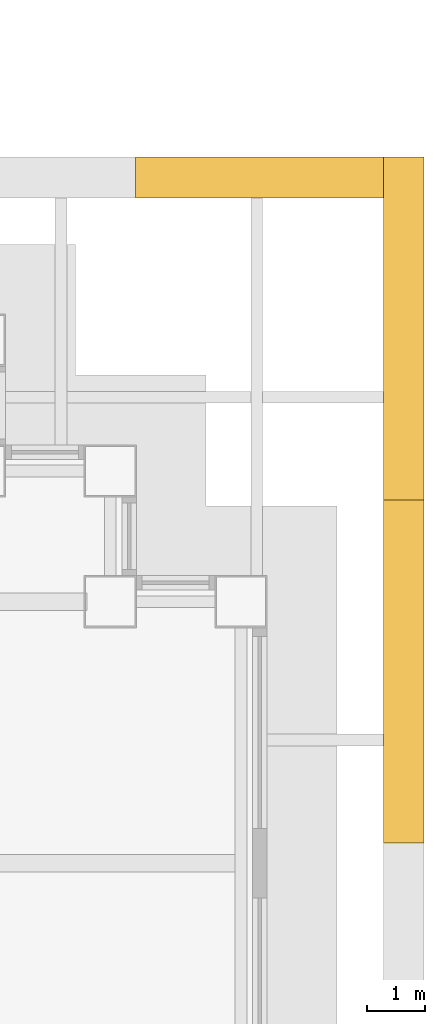
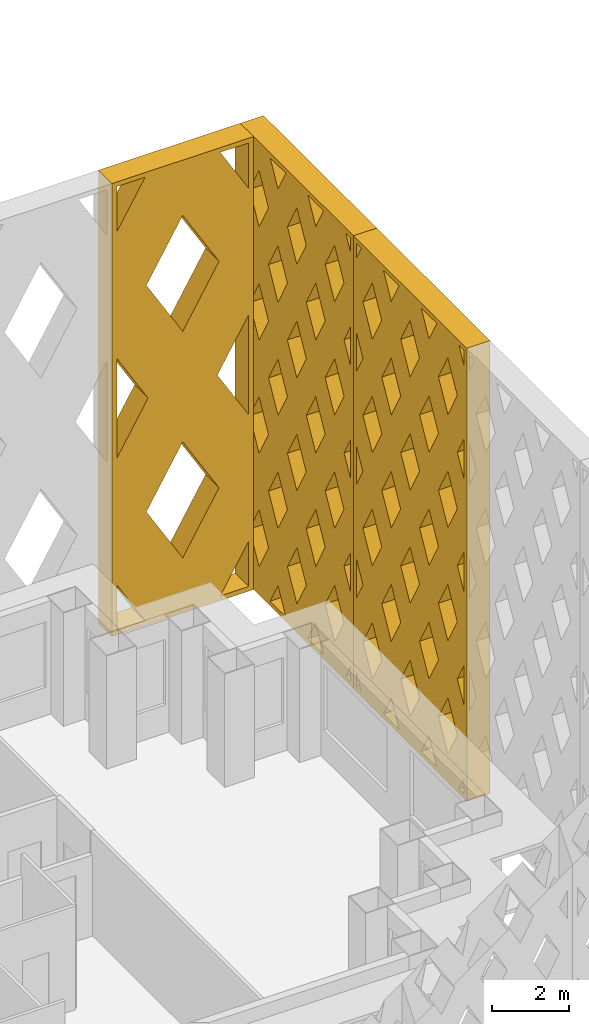
# One storey, part 21 of 21: 3 shading devices.
"""IFC4 building model written with IfcOpenShell, lengths in metres."""

import ifcopenshell
import ifcopenshell.guid

model = None  # the IFC model being written
_history = None  # IfcOwnerHistory: only IFC2X3 demands one
_inside = {}  # id of a spatial element -> (the spatial element, [elements in it])
_under = {}  # id of a project, library or spatial element -> (it, [spatial elements below it])
_declared = {}  # id of a project -> (the project, [libraries it declares])
_typed = {}  # id of a type object -> (the type object, [elements of that type])
_made_of = {}  # id of a material, layer set ... -> (it, [elements and type objects made of it])


def new_model(schema):
    """Start an empty IFC model of exactly this schema.

    Asked for "IFC4X3", IfcOpenShell would pick the latest addendum, in which some entities
    have other attributes; the version numbers below select the first issue.
    IFC2X3 requires an IfcOwnerHistory on every rooted entity: one is made here for all.
    """
    global model, _history
    if schema == "IFC4X3":
        model = ifcopenshell.file(schema_version=(4, 3, 0, 0))
    else:
        model = ifcopenshell.file(schema=schema)
    _inside.clear()
    _under.clear()
    _declared.clear()
    _typed.clear()
    _made_of.clear()
    _history = None
    if model.schema == "IFC2X3":
        org = make("IfcOrganization", Name="unknown")
        user = make(
            "IfcPersonAndOrganization",
            ThePerson=make("IfcPerson", FamilyName="unknown"),
            TheOrganization=org,
        )
        app = make(
            "IfcApplication",
            ApplicationDeveloper=org,
            Version="unknown",
            ApplicationFullName="unknown",
            ApplicationIdentifier="unknown",
        )
        _history = make(
            "IfcOwnerHistory",
            OwningUser=user,
            OwningApplication=app,
            ChangeAction="ADDED",
            CreationDate=0,
        )
    return model


def make(cls, **values):
    """One entity of the class cls with the attributes given. An attribute that is None is left unset."""
    return model.create_entity(
        cls, **{name: value for name, value in values.items() if value is not None}
    )


def rooted(cls, **values):
    """An entity with a GlobalId (a new one), such as an element, a storey or a relation."""
    return make(cls, GlobalId=ifcopenshell.guid.new(), OwnerHistory=_history, **values)


def si_unit(unit_type, name, prefix=None):
    """IfcSIUnit, for example si_unit("LENGTHUNIT", "METRE", prefix="MILLI")."""
    return make("IfcSIUnit", UnitType=unit_type, Prefix=prefix, Name=name)


def assignment(units):
    """IfcUnitAssignment: the units of a project."""
    return None if units is None else make("IfcUnitAssignment", Units=units)


def point(xyz):
    """IfcCartesianPoint."""
    return None if xyz is None else make("IfcCartesianPoint", Coordinates=xyz)


def direction(xyz):
    """IfcDirection."""
    return None if xyz is None else make("IfcDirection", DirectionRatios=xyz)


def frame(location, z_axis=None, x_axis=None):
    """IfcAxis2Placement3D, a coordinate frame: its origin and axes. An axis left out is left unset."""
    return make(
        "IfcAxis2Placement3D",
        Location=point(location),
        Axis=direction(z_axis),
        RefDirection=direction(x_axis),
    )


def origin():
    """The frame at (0, 0, 0) with its axes left unset."""
    return frame((0.0, 0.0, 0.0))


def place(relative_to, where):
    """IfcLocalPlacement: puts the frame where relative to a parent placement (None: the world)."""
    return make(
        "IfcLocalPlacement", PlacementRelTo=relative_to, RelativePlacement=where
    )


def context(
    kind, dimensions, precision=None, world=None, true_north=None, identifier=None
):
    """IfcGeometricRepresentationContext, for example the 3D "Model" context."""
    return make(
        "IfcGeometricRepresentationContext",
        ContextIdentifier=identifier,
        ContextType=kind,
        CoordinateSpaceDimension=dimensions,
        Precision=precision,
        WorldCoordinateSystem=world,
        TrueNorth=true_north,
    )


def subcontext(parent, identifier, kind, view, scale=None):
    """IfcGeometricRepresentationSubContext, for example "Body" below "Model"."""
    return make(
        "IfcGeometricRepresentationSubContext",
        ContextIdentifier=identifier,
        ContextType=kind,
        ParentContext=parent,
        TargetScale=scale,
        TargetView=view,
    )


def project(units=None, contexts=None):
    """IfcProject with its units and contexts."""
    return rooted(
        "IfcProject",
        Name="project",
        RepresentationContexts=contexts,
        UnitsInContext=assignment(units),
    )


def spatial(cls, under=None, at=None, **own):
    """A site, building, storey or space (cls), placed at a placement, below another one or the project."""
    s = rooted(cls, ObjectPlacement=at, **own)
    if under is not None:
        _under.setdefault(under.id(), (under, []))[1].append(s)
    return s


def polyline(points):
    """IfcPolyline through the points."""
    return make("IfcPolyline", Points=[point(p) for p in points])


def outline(outer, holes=None, kind="AREA"):
    """IfcArbitraryClosedProfileDef: a profile drawn as a closed curve; with holes, ...WithVoids."""
    if holes is None:
        return make("IfcArbitraryClosedProfileDef", ProfileType=kind, OuterCurve=outer)
    return make(
        "IfcArbitraryProfileDefWithVoids",
        ProfileType=kind,
        OuterCurve=outer,
        InnerCurves=holes,
    )


def extrude(swept, where, along, depth):
    """IfcExtrudedAreaSolid: the profile swept, set in the frame where, extruded along a direction by depth."""
    return make(
        "IfcExtrudedAreaSolid",
        SweptArea=swept,
        Position=where,
        ExtrudedDirection=direction(along),
        Depth=depth,
    )


def shape(context_of_items, identifier, shape_type, items):
    """IfcShapeRepresentation: the items that make up one representation, for example the "Body"."""
    return make(
        "IfcShapeRepresentation",
        ContextOfItems=context_of_items,
        RepresentationIdentifier=identifier,
        RepresentationType=shape_type,
        Items=items,
    )


def material(Name=None, Category=None):
    """IfcMaterial."""
    return make("IfcMaterial", Name=Name, Category=Category)


def made_of(thing, what):
    """Note that an element or type object is made of a material, layer set ...; save() writes the relation."""
    if what is not None:
        _made_of.setdefault(what.id(), (what, []))[1].append(thing)
    return thing


def type_object(cls, material=None, **own):
    """A type object (cls), such as IfcWallType, which elements share."""
    return made_of(rooted(cls, **own), material)


def element(
    cls,
    number,
    at=None,
    inside=None,
    cuts=None,
    type_object=None,
    material=None,
    context=None,
    identifier="Body",
    shape_type=None,
    held_by="IfcProductDefinitionShape",
    body=None,
    shapes=None,
    **own,
):
    """One element of the class cls, such as IfcWall. Its Tag is "e" and its number.

    at: its placement. inside: the storey or other place that contains it. cuts: it is an
    opening in that element (IfcRelVoidsElement). A single representation is given by context,
    identifier, shape_type and body (its items); several are given by shapes. held_by: the class
    of the entity that holds the representations. save() writes the other relations.
    """
    e = rooted(cls, Tag="e%d" % number, ObjectPlacement=at, **own)
    if body is not None:
        shapes = [shape(context, identifier, shape_type, body)]
    if shapes is not None:
        e.Representation = make(held_by, Representations=shapes)
    if inside is not None:
        _inside.setdefault(inside.id(), (inside, []))[1].append(e)
    if cuts is not None:
        rooted(
            "IfcRelVoidsElement", RelatingBuildingElement=cuts, RelatedOpeningElement=e
        )
    if type_object is not None:
        _typed.setdefault(type_object.id(), (type_object, []))[1].append(e)
    return made_of(e, material)


def aggregate(whole, parts):
    """IfcRelAggregates: a whole, such as a stair, and the parts it consists of."""
    return rooted("IfcRelAggregates", RelatingObject=whole, RelatedObjects=parts)


def save(model, path):
    """Write the relations noted so far, then the file.

    IfcRelAggregates (storeys below a building ...), IfcRelContainedInSpatialStructure (elements
    in a storey), IfcRelDefinesByType, IfcRelAssociatesMaterial and IfcRelDeclares: one each for
    every whole, place, type object, material and project.
    """
    for whole, parts in _under.values():
        aggregate(whole, parts)
    for where, things in _inside.values():
        rooted(
            "IfcRelContainedInSpatialStructure",
            RelatedElements=things,
            RelatingStructure=where,
        )
    for kind, things in _typed.values():
        rooted("IfcRelDefinesByType", RelatedObjects=things, RelatingType=kind)
    for what, things in _made_of.values():
        rooted("IfcRelAssociatesMaterial", RelatedObjects=things, RelatingMaterial=what)
    for by, libraries in _declared.values():
        rooted("IfcRelDeclares", RelatingContext=by, RelatedDefinitions=libraries)
    model.write(path)


model = new_model("IFC4")

# Units and contexts
model_context = context("Model", 3, precision=1e-05, world=origin(), true_north=direction((0.0, 1.0)))
body_context = subcontext(model_context, "Body", "Model", "MODEL_VIEW")
ifc_project = project(units=[si_unit("LENGTHUNIT", "METRE"), si_unit("AREAUNIT", "SQUARE_METRE"), si_unit("VOLUMEUNIT", "CUBIC_METRE"), si_unit("PLANEANGLEUNIT", "RADIAN"), si_unit("MASSUNIT", "GRAM", prefix="KILO")], contexts=[model_context])

# Site, building, storey
site_placement = place(None, origin())
site = spatial("IfcSite", under=ifc_project, at=site_placement, CompositionType="ELEMENT")
building_placement = place(site_placement, origin())
building = spatial("IfcBuilding", under=site, at=building_placement, Name="Caravel Reach Hotel and Residences", CompositionType="ELEMENT")
storey_placement = place(building_placement, frame((0.0, 0.0, 115.199951171875)))
storey = spatial("IfcBuildingStorey", under=building, at=storey_placement, Name="L28", CompositionType="ELEMENT", Elevation=115.199951171875)

# Shading devices
ifc_material_1 = material(Name="Black powder-coated aluminium", Category="aluminium")
shading_device_type_1 = type_object("IfcShadingDeviceType", Name="Diamond lattice screen panel 4267 x 14400", PredefinedType="USERDEFINED", material=ifc_material_1)
shading_device_1_placement = place(storey_placement, frame((65.449951171875, 38.449951171875, 0.0), z_axis=(0.0, 1.0, 0.0), x_axis=(-1.0, 0.0, 0.0)))
element("IfcShadingDevice", 1, at=shading_device_1_placement, inside=storey, type_object=shading_device_type_1, Name="Lattice screen L28-L31 8.1", ObjectType="SCREEN", PredefinedType="USERDEFINED", context=body_context, shape_type="SweptSolid", body=[
    extrude(outline(polyline([(0.0, 0.0), (4.2666015625, 0.0), (4.2666015625, 14.39990234375), (0.0, 14.39990234375), (0.0, 0.0)]), holes=[polyline([(1.003662109375, 0.14990234375), (0.14990234375, 1.590576171875), (0.14990234375, 0.14990234375), (1.003662109375, 0.14990234375)]), polyline([(1.092529296875, 7.199951171875), (0.14990234375, 8.790771484375), (0.14990234375, 5.609375), (1.092529296875, 7.199951171875)]), polyline([(0.14990234375, 12.809326171875), (1.003662109375, 14.25), (0.14990234375, 14.25), (0.14990234375, 12.809326171875)]), polyline([(2.13330078125, 5.44384765625), (1.040771484375, 3.60009765625), (2.13330078125, 1.756103515625), (3.225830078125, 3.60009765625), (2.13330078125, 5.44384765625)]), polyline([(2.13330078125, 12.643798828125), (1.040771484375, 10.800048828125), (2.13330078125, 8.956298828125), (3.225830078125, 10.800048828125), (2.13330078125, 12.643798828125)]), polyline([(4.11669921875, 1.590576171875), (3.262939453125, 0.14990234375), (4.11669921875, 0.14990234375), (4.11669921875, 1.590576171875)]), polyline([(3.174072265625, 7.199951171875), (4.11669921875, 5.609375), (4.11669921875, 8.790771484375), (3.174072265625, 7.199951171875)]), polyline([(3.262939453125, 14.25), (4.11669921875, 12.809326171875), (4.11669921875, 14.25), (3.262939453125, 14.25)])]), origin(), (0.0, 0.0, 1.0), 0.699951171875),
])
ifc_material_2 = material(Name="Black powder-coated aluminium", Category="aluminium")
shading_device_type_2 = type_object("IfcShadingDeviceType", Name="Diamond lattice screen panel 5900 x 14400", PredefinedType="USERDEFINED", material=ifc_material_2)
shading_device_2_placement = place(storey_placement, frame((65.449951171875, 27.35009765625, 0.0), z_axis=(1.0, 0.0, 0.0), x_axis=(0.0, 1.0, 0.0)))
element("IfcShadingDevice", 2, at=shading_device_2_placement, inside=storey, type_object=shading_device_type_2, Name="Lattice screen L28-L31 7.3", ObjectType="SCREEN", PredefinedType="USERDEFINED", context=body_context, shape_type="SweptSolid", body=[
    extrude(outline(polyline([(0.0, 0.0), (5.89990234375, 0.0), (5.89990234375, 14.39990234375), (0.0, 14.39990234375), (0.0, 0.0)]), holes=[polyline([(0.40966796875, 0.14990234375), (0.14990234375, 0.62548828125), (0.14990234375, 0.14990234375), (0.40966796875, 0.14990234375)]), polyline([(0.49169921875, 3.60009765625), (0.14990234375, 4.2255859375), (0.14990234375, 2.974609375), (0.49169921875, 3.60009765625)]), polyline([(0.49169921875, 7.199951171875), (0.14990234375, 7.825439453125), (0.14990234375, 6.574462890625), (0.49169921875, 7.199951171875)]), polyline([(0.49169921875, 10.800048828125), (0.14990234375, 11.425537109375), (0.14990234375, 10.174560546875), (0.49169921875, 10.800048828125)]), polyline([(0.14990234375, 13.7744140625), (0.40966796875, 14.25), (0.14990234375, 14.25), (0.14990234375, 13.7744140625)]), polyline([(0.9833984375, 2.699951171875), (0.49169921875, 1.800048828125), (0.9833984375, 0.89990234375), (1.47509765625, 1.800048828125), (0.9833984375, 2.699951171875)]), polyline([(0.9833984375, 6.300048828125), (0.49169921875, 5.39990234375), (0.9833984375, 4.5), (1.47509765625, 5.39990234375), (0.9833984375, 6.300048828125)]), polyline([(0.9833984375, 9.900146484375), (0.49169921875, 9.0), (0.9833984375, 8.099853515625), (1.47509765625, 9.0), (0.9833984375, 9.900146484375)]), polyline([(0.9833984375, 13.5), (0.49169921875, 12.60009765625), (0.9833984375, 11.699951171875), (1.47509765625, 12.60009765625), (0.9833984375, 13.5)]), polyline([(1.966552734375, 0.900146484375), (1.556884765625, 0.14990234375), (2.37646484375, 0.14990234375), (1.966552734375, 0.900146484375)]), polyline([(1.966552734375, 4.5), (1.474853515625, 3.60009765625), (1.966552734375, 2.699951171875), (2.458251953125, 3.60009765625), (1.966552734375, 4.5)]), polyline([(1.966552734375, 8.10009765625), (1.474853515625, 7.199951171875), (1.966552734375, 6.300048828125), (2.458251953125, 7.199951171875), (1.966552734375, 8.10009765625)]), polyline([(1.966552734375, 11.699951171875), (1.474853515625, 10.800048828125), (1.966552734375, 9.89990234375), (2.458251953125, 10.800048828125), (1.966552734375, 11.699951171875)]), polyline([(1.966552734375, 13.5), (2.37646484375, 14.25), (1.556884765625, 14.25), (1.966552734375, 13.5)]), polyline([(2.949951171875, 2.699951171875), (2.458251953125, 1.800048828125), (2.949951171875, 0.89990234375), (3.441650390625, 1.800048828125), (2.949951171875, 2.699951171875)]), polyline([(2.949951171875, 6.300048828125), (2.458251953125, 5.39990234375), (2.949951171875, 4.5), (3.441650390625, 5.39990234375), (2.949951171875, 6.300048828125)]), polyline([(2.949951171875, 9.900146484375), (2.458251953125, 9.0), (2.949951171875, 8.099853515625), (3.441650390625, 9.0), (2.949951171875, 9.900146484375)]), polyline([(2.949951171875, 13.5), (2.458251953125, 12.60009765625), (2.949951171875, 11.699951171875), (3.441650390625, 12.60009765625), (2.949951171875, 13.5)]), polyline([(3.933349609375, 0.900146484375), (3.523681640625, 0.14990234375), (4.343017578125, 0.14990234375), (3.933349609375, 0.900146484375)]), polyline([(3.933349609375, 4.5), (3.441650390625, 3.60009765625), (3.933349609375, 2.699951171875), (4.425048828125, 3.60009765625), (3.933349609375, 4.5)]), polyline([(3.933349609375, 8.10009765625), (3.441650390625, 7.199951171875), (3.933349609375, 6.300048828125), (4.425048828125, 7.199951171875), (3.933349609375, 8.10009765625)]), polyline([(3.933349609375, 11.699951171875), (3.441650390625, 10.800048828125), (3.933349609375, 9.89990234375), (4.425048828125, 10.800048828125), (3.933349609375, 11.699951171875)]), polyline([(3.933349609375, 13.5), (4.343017578125, 14.25), (3.523681640625, 14.25), (3.933349609375, 13.5)]), polyline([(4.916748046875, 2.699951171875), (4.425048828125, 1.800048828125), (4.916748046875, 0.89990234375), (5.408447265625, 1.800048828125), (4.916748046875, 2.699951171875)]), polyline([(4.916748046875, 6.300048828125), (4.425048828125, 5.39990234375), (4.916748046875, 4.5), (5.408447265625, 5.39990234375), (4.916748046875, 6.300048828125)]), polyline([(4.916748046875, 9.900146484375), (4.425048828125, 9.0), (4.916748046875, 8.099853515625), (5.408447265625, 9.0), (4.916748046875, 9.900146484375)]), polyline([(4.916748046875, 13.5), (4.425048828125, 12.60009765625), (4.916748046875, 11.699951171875), (5.408447265625, 12.60009765625), (4.916748046875, 13.5)]), polyline([(5.75, 0.62548828125), (5.490234375, 0.14990234375), (5.75, 0.14990234375), (5.75, 0.62548828125)]), polyline([(5.408203125, 3.60009765625), (5.75, 2.974609375), (5.75, 4.2255859375), (5.408203125, 3.60009765625)]), polyline([(5.408203125, 7.199951171875), (5.75, 6.574462890625), (5.75, 7.825439453125), (5.408203125, 7.199951171875)]), polyline([(5.408203125, 10.800048828125), (5.75, 10.174560546875), (5.75, 11.425537109375), (5.408203125, 10.800048828125)]), polyline([(5.490234375, 14.25), (5.75, 13.7744140625), (5.75, 14.25), (5.490234375, 14.25)])]), origin(), (0.0, 0.0, 1.0), 0.699951171875),
])
shading_device_3_placement = place(storey_placement, frame((65.449951171875, 33.25, 0.0), z_axis=(1.0, 0.0, 0.0), x_axis=(0.0, 1.0, 0.0)))
element("IfcShadingDevice", 3, at=shading_device_3_placement, inside=storey, type_object=shading_device_type_2, Name="Lattice screen L28-L31 7.4", ObjectType="SCREEN", PredefinedType="USERDEFINED", context=body_context, shape_type="SweptSolid", body=[
    extrude(outline(polyline([(0.0, 0.0), (5.89990234375, 0.0), (5.89990234375, 14.39990234375), (0.0, 14.39990234375), (0.0, 0.0)]), holes=[polyline([(0.40966796875, 0.14990234375), (0.14990234375, 0.62548828125), (0.14990234375, 0.14990234375), (0.40966796875, 0.14990234375)]), polyline([(0.49169921875, 3.60009765625), (0.14990234375, 4.2255859375), (0.14990234375, 2.974609375), (0.49169921875, 3.60009765625)]), polyline([(0.49169921875, 7.199951171875), (0.14990234375, 7.825439453125), (0.14990234375, 6.574462890625), (0.49169921875, 7.199951171875)]), polyline([(0.49169921875, 10.800048828125), (0.14990234375, 11.425537109375), (0.14990234375, 10.174560546875), (0.49169921875, 10.800048828125)]), polyline([(0.14990234375, 13.7744140625), (0.40966796875, 14.25), (0.14990234375, 14.25), (0.14990234375, 13.7744140625)]), polyline([(0.9833984375, 2.699951171875), (0.49169921875, 1.800048828125), (0.9833984375, 0.89990234375), (1.47509765625, 1.800048828125), (0.9833984375, 2.699951171875)]), polyline([(0.9833984375, 6.300048828125), (0.49169921875, 5.39990234375), (0.9833984375, 4.5), (1.47509765625, 5.39990234375), (0.9833984375, 6.300048828125)]), polyline([(0.9833984375, 9.900146484375), (0.49169921875, 9.0), (0.9833984375, 8.099853515625), (1.47509765625, 9.0), (0.9833984375, 9.900146484375)]), polyline([(0.9833984375, 13.5), (0.49169921875, 12.60009765625), (0.9833984375, 11.699951171875), (1.47509765625, 12.60009765625), (0.9833984375, 13.5)]), polyline([(1.966552734375, 0.900146484375), (1.556884765625, 0.14990234375), (2.37646484375, 0.14990234375), (1.966552734375, 0.900146484375)]), polyline([(1.966552734375, 4.5), (1.474853515625, 3.60009765625), (1.966552734375, 2.699951171875), (2.458251953125, 3.60009765625), (1.966552734375, 4.5)]), polyline([(1.966552734375, 8.10009765625), (1.474853515625, 7.199951171875), (1.966552734375, 6.300048828125), (2.458251953125, 7.199951171875), (1.966552734375, 8.10009765625)]), polyline([(1.966552734375, 11.699951171875), (1.474853515625, 10.800048828125), (1.966552734375, 9.89990234375), (2.458251953125, 10.800048828125), (1.966552734375, 11.699951171875)]), polyline([(1.966552734375, 13.5), (2.37646484375, 14.25), (1.556884765625, 14.25), (1.966552734375, 13.5)]), polyline([(2.949951171875, 2.699951171875), (2.458251953125, 1.800048828125), (2.949951171875, 0.89990234375), (3.441650390625, 1.800048828125), (2.949951171875, 2.699951171875)]), polyline([(2.949951171875, 6.300048828125), (2.458251953125, 5.39990234375), (2.949951171875, 4.5), (3.441650390625, 5.39990234375), (2.949951171875, 6.300048828125)]), polyline([(2.949951171875, 9.900146484375), (2.458251953125, 9.0), (2.949951171875, 8.099853515625), (3.441650390625, 9.0), (2.949951171875, 9.900146484375)]), polyline([(2.949951171875, 13.5), (2.458251953125, 12.60009765625), (2.949951171875, 11.699951171875), (3.441650390625, 12.60009765625), (2.949951171875, 13.5)]), polyline([(3.933349609375, 0.900146484375), (3.523681640625, 0.14990234375), (4.343017578125, 0.14990234375), (3.933349609375, 0.900146484375)]), polyline([(3.933349609375, 4.5), (3.441650390625, 3.60009765625), (3.933349609375, 2.699951171875), (4.425048828125, 3.60009765625), (3.933349609375, 4.5)]), polyline([(3.933349609375, 8.10009765625), (3.441650390625, 7.199951171875), (3.933349609375, 6.300048828125), (4.425048828125, 7.199951171875), (3.933349609375, 8.10009765625)]), polyline([(3.933349609375, 11.699951171875), (3.441650390625, 10.800048828125), (3.933349609375, 9.89990234375), (4.425048828125, 10.800048828125), (3.933349609375, 11.699951171875)]), polyline([(3.933349609375, 13.5), (4.343017578125, 14.25), (3.523681640625, 14.25), (3.933349609375, 13.5)]), polyline([(4.916748046875, 2.699951171875), (4.425048828125, 1.800048828125), (4.916748046875, 0.89990234375), (5.408447265625, 1.800048828125), (4.916748046875, 2.699951171875)]), polyline([(4.916748046875, 6.300048828125), (4.425048828125, 5.39990234375), (4.916748046875, 4.5), (5.408447265625, 5.39990234375), (4.916748046875, 6.300048828125)]), polyline([(4.916748046875, 9.900146484375), (4.425048828125, 9.0), (4.916748046875, 8.099853515625), (5.408447265625, 9.0), (4.916748046875, 9.900146484375)]), polyline([(4.916748046875, 13.5), (4.425048828125, 12.60009765625), (4.916748046875, 11.699951171875), (5.408447265625, 12.60009765625), (4.916748046875, 13.5)]), polyline([(5.75, 0.62548828125), (5.490234375, 0.14990234375), (5.75, 0.14990234375), (5.75, 0.62548828125)]), polyline([(5.408203125, 3.60009765625), (5.75, 2.974609375), (5.75, 4.2255859375), (5.408203125, 3.60009765625)]), polyline([(5.408203125, 7.199951171875), (5.75, 6.574462890625), (5.75, 7.825439453125), (5.408203125, 7.199951171875)]), polyline([(5.408203125, 10.800048828125), (5.75, 10.174560546875), (5.75, 11.425537109375), (5.408203125, 10.800048828125)]), polyline([(5.490234375, 14.25), (5.75, 13.7744140625), (5.75, 14.25), (5.490234375, 14.25)])]), origin(), (0.0, 0.0, 1.0), 0.699951171875),
])

save(model, "model.ifc")
